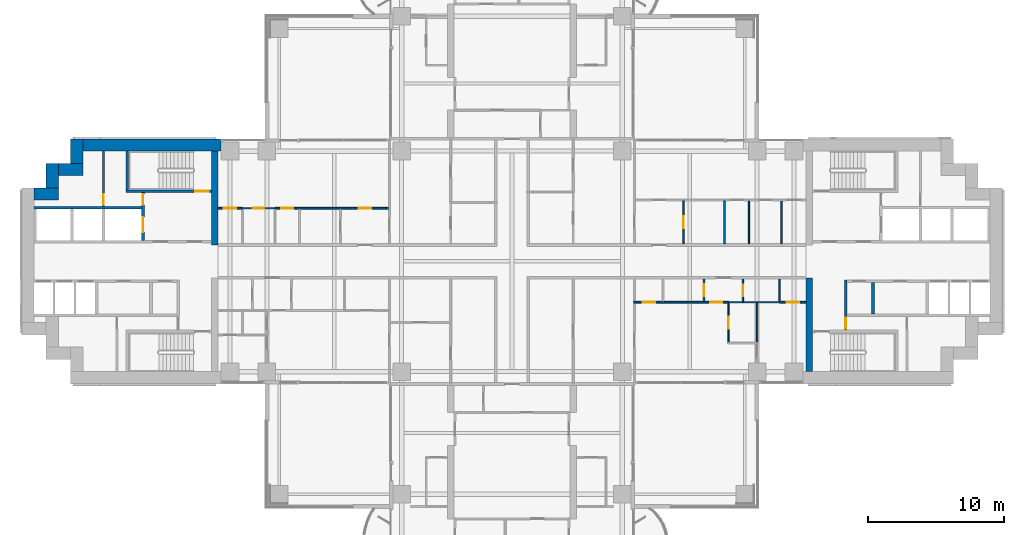
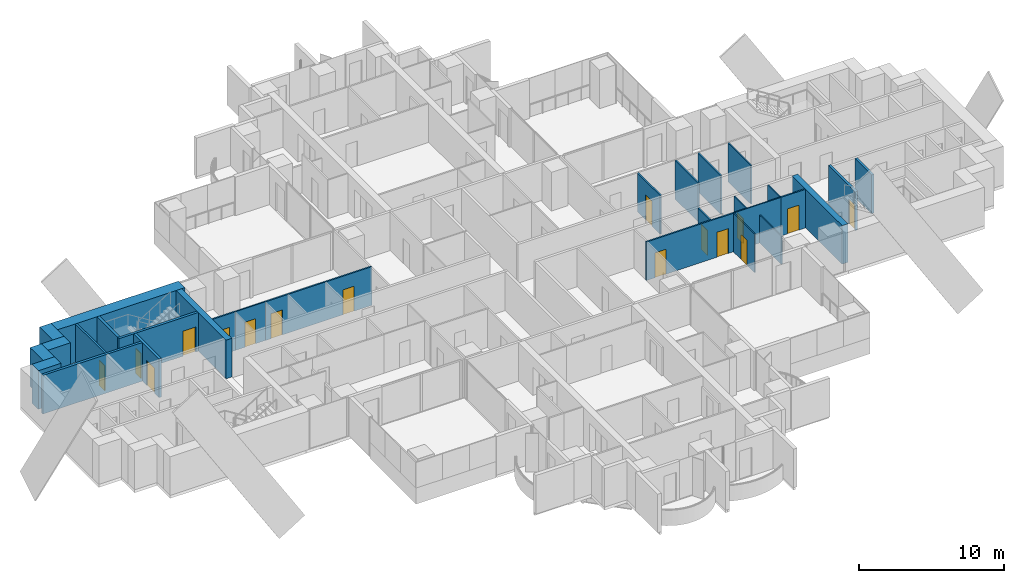
# One storey, part 14 of 23: 29 walls, 16 doors, 16 openings.
"""IFC4 building model written with IfcOpenShell, lengths in metres."""

from ifc_helpers import new_model, si_unit, direction, frame, frame_2d, origin, place, context, subcontext, project, spatial, rectangle, extrude, material, layer, layer_set, type_object, element, fill, save


model = new_model("IFC4")

# Units and contexts
model_context = context("Model", 3, precision=1e-05, world=origin(), true_north=direction((0.0, 1.0)))
body_context = subcontext(model_context, "Body", "Model", "MODEL_VIEW")
ifc_project = project(units=[si_unit("LENGTHUNIT", "METRE"), si_unit("AREAUNIT", "SQUARE_METRE"), si_unit("VOLUMEUNIT", "CUBIC_METRE"), si_unit("PLANEANGLEUNIT", "RADIAN"), si_unit("MASSUNIT", "GRAM", prefix="KILO")], contexts=[model_context])

# Site, building, storey
site_placement = place(None, origin())
site = spatial("IfcSite", under=ifc_project, at=site_placement, CompositionType="ELEMENT")
building_placement = place(site_placement, origin())
building = spatial("IfcBuilding", under=site, at=building_placement, Name="Perihelion Cross Residences", CompositionType="ELEMENT")
storey_placement = place(building_placement, frame((0.0, 0.0, 61.0)))
storey = spatial("IfcBuildingStorey", under=building, at=storey_placement, Name="L12", CompositionType="ELEMENT", Elevation=61.0)

# Walls
ifc_material_1 = material(Name="Concrete C60/75", Category="concrete")
ifc_layer_1 = layer(ifc_material_1, 0.449951171875)
ifc_layer_set_1 = layer_set([ifc_layer_1], Name="Core wall, inner 450")
wall_type_1 = type_object("IfcWallType", Name="Core wall, inner 450", PredefinedType="SHEAR", material=ifc_layer_set_1)
for number, where, z_axis, x_axis, name in (
    (1, (21.824951171875, -8.10009765625, 0.0), (0.0, 0.0, 1.0), (0.0, 1.0, 0.0), "East core core wall, inner"),
    (2, (-21.824951171875, 1.199951171875, 0.0), (0.0, 0.0, 1.0), (0.0, 1.0, 0.0), "West core core wall, inner"),
):
    element("IfcWall", number, at=place(storey_placement, frame(where, z_axis=z_axis, x_axis=x_axis)), inside=storey, type_object=wall_type_1, Name=name, PredefinedType="SHEAR", context=body_context, shape_type="SweptSolid", body=[
        extrude(rectangle(XDim=6.900146484375, YDim=0.449951171875, at=frame_2d((3.4501953125, 0.0))), origin(), (0.0, 0.0, 1.0), 3.25),
    ])
ifc_material_2 = material(Name="Concrete C60/75", Category="concrete")
ifc_layer_2 = layer(ifc_material_2, 0.89990234375)
ifc_layer_set_2 = layer_set([ifc_layer_2], Name="Core wall, outer 900")
wall_type_2 = type_object("IfcWallType", Name="Core wall, outer 900", PredefinedType="SHEAR", material=ifc_layer_set_2)
for number, where, z_axis, x_axis, name in (
    (3, (-35.10009765625, 4.949951171875, 0.0), (0.0, 0.0, 1.0), (1.0, 0.0, 0.0), "West core core wall, outer"),
    (4, (-33.75, 5.39990234375, 0.0), (0.0, 0.0, 1.0), (0.0, 1.0, 0.0), "West core core wall, outer"),
    (5, (-33.300048828125, 6.75, 0.0), (0.0, 0.0, 1.0), (1.0, 0.0, 0.0), "West core core wall, outer"),
    (6, (-31.949951171875, 7.199951171875, 0.0), (0.0, 0.0, 1.0), (0.0, 1.0, 0.0), "West core core wall, outer"),
):
    element("IfcWall", number, at=place(storey_placement, frame(where, z_axis=z_axis, x_axis=x_axis)), inside=storey, type_object=wall_type_2, Name=name, PredefinedType="SHEAR", context=body_context, shape_type="SweptSolid", body=[
        extrude(rectangle(XDim=1.800048828125, YDim=0.89990234375, at=frame_2d((0.89990234375, 0.0))), origin(), (0.0, 0.0, 1.0), 3.25),
    ])
wall_1_placement = place(storey_placement, frame((-31.5, 8.550048828125, 0.0), z_axis=(0.0, 0.0, 1.0), x_axis=(1.0, 0.0, 0.0)))
element("IfcWall", 7, at=wall_1_placement, inside=storey, type_object=wall_type_2, Name="West core core wall, outer", PredefinedType="SHEAR", context=body_context, shape_type="SweptSolid", body=[
    extrude(rectangle(XDim=10.14990234375, YDim=0.89990234375, at=frame_2d((5.074951171875, 0.0))), origin(), (0.0, 0.0, 1.0), 3.25),
])

# Wall, opening, door
ifc_material_3 = material(Name="Concrete C50/60", Category="concrete")
ifc_layer_3 = layer(ifc_material_3, 0.199951171875)
ifc_layer_set_3 = layer_set([ifc_layer_3], Name="Lobby wall 200")
wall_type_3 = type_object("IfcWallType", Name="Lobby wall 200", PredefinedType="SOLIDWALL", material=ifc_layer_set_3)
wall_2_placement = place(storey_placement, frame((24.5, -5.050048828125, 0.0), z_axis=(0.0, 0.0, 1.0), x_axis=(0.0, 1.0, 0.0)))
wall_2 = element("IfcWall", 8, at=wall_2_placement, inside=storey, type_object=wall_type_3, Name="East core lobby wall", PredefinedType="SOLIDWALL", context=body_context, shape_type="SweptSolid", body=[
    extrude(rectangle(XDim=3.699951171875, YDim=0.199951171875, at=frame_2d((1.85009765625, 0.0))), origin(), (0.0, 0.0, 1.0), 3.25),
])
opening_1_placement = place(wall_2_placement, frame((0.10009765625, 0.0, 0.0)))
opening_1 = element("IfcOpeningElement", 9, at=opening_1_placement, cuts=wall_2, Name="Opening L12.C08", PredefinedType="OPENING", context=body_context, shape_type="SweptSolid", body=[
    extrude(rectangle(XDim=0.800048828125, YDim=2.10009765625, at=frame_2d((0.39990234375, 1.050048828125))), frame((0.0, 0.10986328125, 0.0), z_axis=(0.0, -1.0, 0.0), x_axis=(1.0, 0.0, 0.0)), (0.0, 0.0, 1.0), 0.219970703125),
])
ifc_material_4 = material(Name="Steel, powder coated", Category="steel")
door_type_1 = type_object("IfcDoorType", Name="Riser door 800", OperationType="SINGLE_SWING_LEFT", PredefinedType="DOOR", material=ifc_material_4)
door_1_placement = place(opening_1_placement, origin())
door_1 = element("IfcDoor", 10, at=door_1_placement, inside=storey, type_object=door_type_1, Name="East core riser door", OperationType="SINGLE_SWING_LEFT", OverallHeight=2.10009765625, OverallWidth=0.800048828125, PredefinedType="DOOR", context=body_context, shape_type="SweptSolid", body=[
    extrude(rectangle(XDim=0.800048828125, YDim=2.10009765625, at=frame_2d((0.39990234375, 1.050048828125))), frame((0.0, 0.02490234375, 0.0), z_axis=(0.0, -1.0, 0.0), x_axis=(1.0, 0.0, 0.0)), (0.0, 0.0, 1.0), 0.050048828125),
])
fill(opening_1, door_1)

ifc_material_5 = material(Name="Plasterboard partition")
ifc_layer_4 = layer(ifc_material_5, 0.1201171875)
ifc_layer_set_4 = layer_set([ifc_layer_4], Name="Partition wall 120")
wall_type_4 = type_object("IfcWallType", Name="Partition wall 120", PredefinedType="PARTITIONING", material=ifc_layer_set_4)
wall_3_placement = place(storey_placement, frame((12.60009765625, 4.43994140625, 0.0), z_axis=(0.0, 0.0, 1.0), x_axis=(0.0, -1.0, 0.0)))
wall_3 = element("IfcWall", 11, at=wall_3_placement, inside=storey, type_object=wall_type_4, Name="Partition L12 W011", PredefinedType="PARTITIONING", context=body_context, shape_type="SweptSolid", body=[
    extrude(rectangle(XDim=3.139892578125, YDim=0.1201171875, at=frame_2d((1.56982421875, 0.0))), origin(), (0.0, 0.0, 1.0), 3.25),
])
opening_2_placement = place(wall_3_placement, frame((1.1201171875, 0.0, 0.0)))
opening_2 = element("IfcOpeningElement", 12, at=opening_2_placement, cuts=wall_3, Name="Opening L12.A05", PredefinedType="OPENING", context=body_context, shape_type="SweptSolid", body=[
    extrude(rectangle(XDim=0.89990234375, YDim=2.10009765625, at=frame_2d((0.449951171875, 1.050048828125))), frame((0.0, 0.070068359375, 0.0), z_axis=(0.0, -1.0, 0.0), x_axis=(1.0, 0.0, 0.0)), (0.0, 0.0, 1.0), 0.14013671875),
])
ifc_material_6 = material(Name="Timber door leaf", Category="wood")
door_type_2 = type_object("IfcDoorType", Name="Interior room door 900 x 2100", OperationType="SINGLE_SWING_LEFT", PredefinedType="DOOR", material=ifc_material_6)
door_2_placement = place(opening_2_placement, origin())
door_2 = element("IfcDoor", 13, at=door_2_placement, inside=storey, type_object=door_type_2, Name="Door L12.A05", OperationType="SINGLE_SWING_LEFT", OverallHeight=2.10009765625, OverallWidth=0.89990234375, PredefinedType="DOOR", context=body_context, shape_type="SweptSolid", body=[
    extrude(rectangle(XDim=0.89990234375, YDim=2.10009765625, at=frame_2d((0.449951171875, 1.050048828125))), frame((0.0, 0.02490234375, 0.0), z_axis=(0.0, -1.0, 0.0), x_axis=(1.0, 0.0, 0.0)), (0.0, 0.0, 1.0), 0.050048828125),
])
fill(opening_2, door_2)

# Wall
wall_4_placement = place(storey_placement, frame((15.60009765625, 4.43994140625, 0.0), z_axis=(0.0, 0.0, 1.0), x_axis=(0.0, -1.0, 0.0)))
element("IfcWall", 14, at=wall_4_placement, inside=storey, type_object=wall_type_4, Name="Partition L12 W014", PredefinedType="PARTITIONING", context=body_context, shape_type="SweptSolid", body=[
    extrude(rectangle(XDim=3.139892578125, YDim=0.1201171875, at=frame_2d((1.56982421875, 0.0))), origin(), (0.0, 0.0, 1.0), 3.25),
])

# Wall, openings, doors
wall_5_placement = place(storey_placement, frame((15.89990234375, -3.0, 0.0), z_axis=(0.0, 0.0, 1.0), x_axis=(-1.0, 0.0, 0.0)))
wall_5 = element("IfcWall", 15, at=wall_5_placement, inside=storey, type_object=wall_type_4, Name="Partition L12 W023", PredefinedType="PARTITIONING", context=body_context, shape_type="SweptSolid", body=[
    extrude(rectangle(XDim=6.9599609375, YDim=0.1201171875, at=frame_2d((3.47998046875, 0.0))), origin(), (0.0, 0.0, 1.0), 3.25),
])
opening_3_placement = place(wall_5_placement, frame((0.449951171875, 0.0, 0.0)))
opening_3 = element("IfcOpeningElement", 16, at=opening_3_placement, cuts=wall_5, Name="Opening L12.A14", PredefinedType="OPENING", context=body_context, shape_type="SweptSolid", body=[
    extrude(rectangle(XDim=0.89990234375, YDim=2.10009765625, at=frame_2d((0.449951171875, 1.050048828125))), frame((0.0, 0.070068359375, 0.0), z_axis=(0.0, -1.0, 0.0), x_axis=(1.0, 0.0, 0.0)), (0.0, 0.0, 1.0), 0.14013671875),
])
opening_4_placement = place(wall_5_placement, frame((5.39990234375, 0.0, 0.0)))
opening_4 = element("IfcOpeningElement", 17, at=opening_4_placement, cuts=wall_5, Name="Opening L12.A16", PredefinedType="OPENING", context=body_context, shape_type="SweptSolid", body=[
    extrude(rectangle(XDim=0.89990234375, YDim=2.10009765625, at=frame_2d((0.449951171875, 1.050048828125))), frame((0.0, 0.070068359375, 0.0), z_axis=(0.0, -1.0, 0.0), x_axis=(1.0, 0.0, 0.0)), (0.0, 0.0, 1.0), 0.14013671875),
])
door_3_placement = place(opening_3_placement, origin())
door_3 = element("IfcDoor", 18, at=door_3_placement, inside=storey, type_object=door_type_2, Name="Door L12.A14", OperationType="SINGLE_SWING_LEFT", OverallHeight=2.10009765625, OverallWidth=0.89990234375, PredefinedType="DOOR", context=body_context, shape_type="SweptSolid", body=[
    extrude(rectangle(XDim=0.89990234375, YDim=2.10009765625, at=frame_2d((0.449951171875, 1.050048828125))), frame((0.0, 0.02490234375, 0.0), z_axis=(0.0, -1.0, 0.0), x_axis=(1.0, 0.0, 0.0)), (0.0, 0.0, 1.0), 0.050048828125),
])
fill(opening_3, door_3)
door_4_placement = place(opening_4_placement, origin())
door_4 = element("IfcDoor", 19, at=door_4_placement, inside=storey, type_object=door_type_2, Name="Door L12.A16", OperationType="SINGLE_SWING_LEFT", OverallHeight=2.10009765625, OverallWidth=0.89990234375, PredefinedType="DOOR", context=body_context, shape_type="SweptSolid", body=[
    extrude(rectangle(XDim=0.89990234375, YDim=2.10009765625, at=frame_2d((0.449951171875, 1.050048828125))), frame((0.0, 0.02490234375, 0.0), z_axis=(0.0, -1.0, 0.0), x_axis=(1.0, 0.0, 0.0)), (0.0, 0.0, 1.0), 0.050048828125),
])
fill(opening_4, door_4)

# Wall, opening, door
wall_6_placement = place(storey_placement, frame((14.10009765625, -1.300048828125, 0.0), z_axis=(0.0, 0.0, 1.0), x_axis=(0.0, -1.0, 0.0)))
wall_6 = element("IfcWall", 20, at=wall_6_placement, inside=storey, type_object=wall_type_4, Name="Partition L12 W025", PredefinedType="PARTITIONING", context=body_context, shape_type="SweptSolid", body=[
    extrude(rectangle(XDim=1.639892578125, YDim=0.1201171875, at=frame_2d((0.81982421875, 0.0))), origin(), (0.0, 0.0, 1.0), 3.25),
])
opening_5_placement = place(wall_6_placement, frame((0.3701171875, 0.0, 0.0)))
opening_5 = element("IfcOpeningElement", 21, at=opening_5_placement, cuts=wall_6, Name="Opening L12.A11", PredefinedType="OPENING", context=body_context, shape_type="SweptSolid", body=[
    extrude(rectangle(XDim=0.89990234375, YDim=2.10009765625, at=frame_2d((0.449951171875, 1.050048828125))), frame((0.0, 0.070068359375, 0.0), z_axis=(0.0, -1.0, 0.0), x_axis=(1.0, 0.0, 0.0)), (0.0, 0.0, 1.0), 0.14013671875),
])
door_5_placement = place(opening_5_placement, origin())
door_5 = element("IfcDoor", 22, at=door_5_placement, inside=storey, type_object=door_type_2, Name="Door L12.A11", OperationType="SINGLE_SWING_RIGHT", OverallHeight=2.10009765625, OverallWidth=0.89990234375, PredefinedType="DOOR", context=body_context, shape_type="SweptSolid", body=[
    extrude(rectangle(XDim=0.89990234375, YDim=2.10009765625, at=frame_2d((0.449951171875, 1.050048828125))), frame((0.0, 0.02490234375, 0.0), z_axis=(0.0, -1.0, 0.0), x_axis=(1.0, 0.0, 0.0)), (0.0, 0.0, 1.0), 0.050048828125),
])
fill(opening_5, door_5)

wall_7_placement = place(storey_placement, frame((21.60009765625, -3.0, 0.0), z_axis=(0.0, 0.0, 1.0), x_axis=(-1.0, 0.0, 0.0)))
wall_7 = element("IfcWall", 23, at=wall_7_placement, inside=storey, type_object=wall_type_4, Name="Partition L12 W029", PredefinedType="PARTITIONING", context=body_context, shape_type="SweptSolid", body=[
    extrude(rectangle(XDim=1.9501953125, YDim=0.1201171875, at=frame_2d((0.97509765625, 0.0))), origin(), (0.0, 0.0, 1.0), 3.25),
])
opening_6_placement = place(wall_7_placement, frame((0.52490234375, 0.0, 0.0)))
opening_6 = element("IfcOpeningElement", 24, at=opening_6_placement, cuts=wall_7, Name="Opening L12.A17", PredefinedType="OPENING", context=body_context, shape_type="SweptSolid", body=[
    extrude(rectangle(XDim=0.89990234375, YDim=2.10009765625, at=frame_2d((0.449951171875, 1.050048828125))), frame((0.0, 0.070068359375, 0.0), z_axis=(0.0, -1.0, 0.0), x_axis=(1.0, 0.0, 0.0)), (0.0, 0.0, 1.0), 0.14013671875),
])
door_6_placement = place(opening_6_placement, origin())
door_6 = element("IfcDoor", 25, at=door_6_placement, inside=storey, type_object=door_type_2, Name="Door L12.A17", OperationType="SINGLE_SWING_RIGHT", OverallHeight=2.10009765625, OverallWidth=0.89990234375, PredefinedType="DOOR", context=body_context, shape_type="SweptSolid", body=[
    extrude(rectangle(XDim=0.89990234375, YDim=2.10009765625, at=frame_2d((0.449951171875, 1.050048828125))), frame((0.0, 0.02490234375, 0.0), z_axis=(0.0, -1.0, 0.0), x_axis=(1.0, 0.0, 0.0)), (0.0, 0.0, 1.0), 0.050048828125),
])
fill(opening_6, door_6)

# Wall, openings, doors
wall_8_placement = place(storey_placement, frame((-17.39990234375, 3.89990234375, 0.0), z_axis=(0.0, 0.0, 1.0), x_axis=(1.0, 0.0, 0.0)))
wall_8 = element("IfcWall", 26, at=wall_8_placement, inside=storey, type_object=wall_type_4, Name="Partition L12 W036", PredefinedType="PARTITIONING", context=body_context, shape_type="SweptSolid", body=[
    extrude(rectangle(XDim=8.4599609375, YDim=0.1201171875, at=frame_2d((4.22998046875, 0.0))), origin(), (0.0, 0.0, 1.0), 3.25),
])
opening_7_placement = place(wall_8_placement, frame((0.449951171875, 0.0, 0.0)))
opening_7 = element("IfcOpeningElement", 27, at=opening_7_placement, cuts=wall_8, Name="Opening L12.A21", PredefinedType="OPENING", context=body_context, shape_type="SweptSolid", body=[
    extrude(rectangle(XDim=0.89990234375, YDim=2.10009765625, at=frame_2d((0.449951171875, 1.050048828125))), frame((0.0, 0.070068359375, 0.0), z_axis=(0.0, -1.0, 0.0), x_axis=(1.0, 0.0, 0.0)), (0.0, 0.0, 1.0), 0.14013671875),
])
opening_8_placement = place(wall_8_placement, frame((6.14990234375, 0.0, 0.0)))
opening_8 = element("IfcOpeningElement", 28, at=opening_8_placement, cuts=wall_8, Name="Opening L12.A25", PredefinedType="OPENING", context=body_context, shape_type="SweptSolid", body=[
    extrude(rectangle(XDim=0.89990234375, YDim=2.10009765625, at=frame_2d((0.449951171875, 1.050048828125))), frame((0.0, 0.070068359375, 0.0), z_axis=(0.0, -1.0, 0.0), x_axis=(1.0, 0.0, 0.0)), (0.0, 0.0, 1.0), 0.14013671875),
])
door_7_placement = place(opening_7_placement, origin())
door_7 = element("IfcDoor", 29, at=door_7_placement, inside=storey, type_object=door_type_2, Name="Door L12.A21", OperationType="SINGLE_SWING_LEFT", OverallHeight=2.10009765625, OverallWidth=0.89990234375, PredefinedType="DOOR", context=body_context, shape_type="SweptSolid", body=[
    extrude(rectangle(XDim=0.89990234375, YDim=2.10009765625, at=frame_2d((0.449951171875, 1.050048828125))), frame((0.0, 0.02490234375, 0.0), z_axis=(0.0, -1.0, 0.0), x_axis=(1.0, 0.0, 0.0)), (0.0, 0.0, 1.0), 0.050048828125),
])
fill(opening_7, door_7)
door_8_placement = place(opening_8_placement, origin())
door_8 = element("IfcDoor", 30, at=door_8_placement, inside=storey, type_object=door_type_2, Name="Door L12.A25", OperationType="SINGLE_SWING_LEFT", OverallHeight=2.10009765625, OverallWidth=0.89990234375, PredefinedType="DOOR", context=body_context, shape_type="SweptSolid", body=[
    extrude(rectangle(XDim=0.89990234375, YDim=2.10009765625, at=frame_2d((0.449951171875, 1.050048828125))), frame((0.0, 0.02490234375, 0.0), z_axis=(0.0, -1.0, 0.0), x_axis=(1.0, 0.0, 0.0)), (0.0, 0.0, 1.0), 0.050048828125),
])
fill(opening_8, door_8)

# Wall, opening, door
wall_9_placement = place(storey_placement, frame((-21.60009765625, 3.89990234375, 0.0), z_axis=(0.0, 0.0, 1.0), x_axis=(1.0, 0.0, 0.0)))
wall_9 = element("IfcWall", 31, at=wall_9_placement, inside=storey, type_object=wall_type_4, Name="Partition L12 W042", PredefinedType="PARTITIONING", context=body_context, shape_type="SweptSolid", body=[
    extrude(rectangle(XDim=1.800048828125, YDim=0.1201171875, at=frame_2d((0.89990234375, 0.0))), origin(), (0.0, 0.0, 1.0), 3.25),
])
opening_9_placement = place(wall_9_placement, frame((0.449951171875, 0.0, 0.0)))
opening_9 = element("IfcOpeningElement", 32, at=opening_9_placement, cuts=wall_9, Name="Opening L12.A19", PredefinedType="OPENING", context=body_context, shape_type="SweptSolid", body=[
    extrude(rectangle(XDim=0.89990234375, YDim=2.10009765625, at=frame_2d((0.449951171875, 1.050048828125))), frame((0.0, 0.070068359375, 0.0), z_axis=(0.0, -1.0, 0.0), x_axis=(1.0, 0.0, 0.0)), (0.0, 0.0, 1.0), 0.14013671875),
])
door_9_placement = place(opening_9_placement, origin())
door_9 = element("IfcDoor", 33, at=door_9_placement, inside=storey, type_object=door_type_2, Name="Door L12.A19", OperationType="SINGLE_SWING_RIGHT", OverallHeight=2.10009765625, OverallWidth=0.89990234375, PredefinedType="DOOR", context=body_context, shape_type="SweptSolid", body=[
    extrude(rectangle(XDim=0.89990234375, YDim=2.10009765625, at=frame_2d((0.449951171875, 1.050048828125))), frame((0.0, 0.02490234375, 0.0), z_axis=(0.0, -1.0, 0.0), x_axis=(1.0, 0.0, 0.0)), (0.0, 0.0, 1.0), 0.050048828125),
])
fill(opening_9, door_9)

ifc_material_7 = material(Name="Fire-rated board on steel stud", Category="steel")
ifc_layer_5 = layer(ifc_material_7, 0.14990234375)
ifc_layer_set_5 = layer_set([ifc_layer_5], Name="Riser wall 150")
wall_type_5 = type_object("IfcWallType", Name="Riser wall 150", PredefinedType="PARTITIONING", material=ifc_layer_set_5)
wall_10_placement = place(storey_placement, frame((-30.0, 4.050048828125, 0.0), z_axis=(0.0, 0.0, 1.0), x_axis=(0.0, 1.0, 0.0)))
wall_10 = element("IfcWall", 34, at=wall_10_placement, inside=storey, type_object=wall_type_5, Name="West core riser wall", PredefinedType="PARTITIONING", context=body_context, shape_type="SweptSolid", body=[
    extrude(rectangle(XDim=4.050048828125, YDim=0.14990234375, at=frame_2d((2.02490234375, 0.0))), origin(), (0.0, 0.0, 1.0), 3.25),
])
opening_10_placement = place(wall_10_placement, frame((0.10009765625, 0.0, 0.0)))
opening_10 = element("IfcOpeningElement", 35, at=opening_10_placement, cuts=wall_10, Name="Opening L12.C28", PredefinedType="OPENING", context=body_context, shape_type="SweptSolid", body=[
    extrude(rectangle(XDim=0.800048828125, YDim=2.10009765625, at=frame_2d((0.39990234375, 1.050048828125))), frame((0.0, 0.0849609375, 0.0), z_axis=(0.0, -1.0, 0.0), x_axis=(1.0, 0.0, 0.0)), (0.0, 0.0, 1.0), 0.169921875),
])
door_10_placement = place(opening_10_placement, origin())
door_10 = element("IfcDoor", 36, at=door_10_placement, inside=storey, type_object=door_type_1, Name="West core riser door", OperationType="SINGLE_SWING_LEFT", OverallHeight=2.10009765625, OverallWidth=0.800048828125, PredefinedType="DOOR", context=body_context, shape_type="SweptSolid", body=[
    extrude(rectangle(XDim=0.800048828125, YDim=2.10009765625, at=frame_2d((0.39990234375, 1.050048828125))), frame((0.0, 0.02490234375, 0.0), z_axis=(0.0, -1.0, 0.0), x_axis=(1.0, 0.0, 0.0)), (0.0, 0.0, 1.0), 0.050048828125),
])
fill(opening_10, door_10)

# Walls
ifc_material_8 = material(Name="Fire-rated board on steel stud", Category="steel")
ifc_layer_6 = layer(ifc_material_8, 0.199951171875)
ifc_layer_set_6 = layer_set([ifc_layer_6], Name="Riser wall 200")
wall_type_6 = type_object("IfcWallType", Name="Riser wall 200", PredefinedType="PARTITIONING", material=ifc_layer_set_6)
wall_11_placement = place(storey_placement, frame((26.5, -3.85009765625, 0.0), z_axis=(0.0, 0.0, 1.0), x_axis=(0.0, 1.0, 0.0)))
element("IfcWall", 37, at=wall_11_placement, inside=storey, type_object=wall_type_6, Name="East core riser wall", PredefinedType="PARTITIONING", context=body_context, shape_type="SweptSolid", body=[
    extrude(rectangle(XDim=2.300048828125, YDim=0.199951171875, at=frame_2d((1.14990234375, 0.0))), origin(), (0.0, 0.0, 1.0), 3.25),
])
ifc_material_9 = material(Name="Concrete C50/60", Category="concrete")
ifc_layer_7 = layer(ifc_material_9, 0.199951171875)
ifc_layer_set_7 = layer_set([ifc_layer_7], Name="Shaft wall 200")
wall_type_7 = type_object("IfcWallType", Name="Shaft wall 200", PredefinedType="SOLIDWALL", material=ifc_layer_set_7)
wall_12_placement = place(storey_placement, frame((-35.10009765625, 3.949951171875, 0.0), z_axis=(0.0, 0.0, 1.0), x_axis=(1.0, 0.0, 0.0)))
element("IfcWall", 38, at=wall_12_placement, inside=storey, type_object=wall_type_7, Name="West core shaft wall", PredefinedType="SOLIDWALL", context=body_context, shape_type="SweptSolid", body=[
    extrude(rectangle(XDim=7.900146484375, YDim=0.199951171875, at=frame_2d((3.9501953125, 0.0))), origin(), (0.0, 0.0, 1.0), 3.25),
])

# Wall, openings, doors
wall_13_placement = place(storey_placement, frame((-27.10009765625, 1.550048828125, 0.0), z_axis=(0.0, 0.0, 1.0), x_axis=(0.0, 1.0, 0.0)))
wall_13 = element("IfcWall", 39, at=wall_13_placement, inside=storey, type_object=wall_type_7, Name="West core shaft wall", PredefinedType="SOLIDWALL", context=body_context, shape_type="SweptSolid", body=[
    extrude(rectangle(XDim=3.5, YDim=0.199951171875, at=frame_2d((1.75, 0.0))), origin(), (0.0, 0.0, 1.0), 3.25),
])
opening_11_placement = place(wall_13_placement, frame((0.60009765625, 0.0, 0.0)))
opening_11 = element("IfcOpeningElement", 40, at=opening_11_placement, cuts=wall_13, Name="Opening L12.C15", PredefinedType="OPENING", context=body_context, shape_type="SweptSolid", body=[
    extrude(rectangle(XDim=1.10009765625, YDim=2.10009765625, at=frame_2d((0.550048828125, 1.050048828125))), frame((0.0, 0.10986328125, 0.0), z_axis=(0.0, -1.0, 0.0), x_axis=(1.0, 0.0, 0.0)), (0.0, 0.0, 1.0), 0.219970703125),
])
opening_12_placement = place(wall_13_placement, frame((2.60009765625, 0.0, 0.0)))
opening_12 = element("IfcOpeningElement", 41, at=opening_12_placement, cuts=wall_13, Name="Opening L12.C25", PredefinedType="OPENING", context=body_context, shape_type="SweptSolid", body=[
    extrude(rectangle(XDim=0.800048828125, YDim=2.10009765625, at=frame_2d((0.39990234375, 1.050048828125))), frame((0.0, 0.10986328125, 0.0), z_axis=(0.0, -1.0, 0.0), x_axis=(1.0, 0.0, 0.0)), (0.0, 0.0, 1.0), 0.219970703125),
])
ifc_material_10 = material(Name="Stainless steel", Category="steel")
door_type_3 = type_object("IfcDoorType", Name="Landing door, firefighting lift 1100", OperationType="DOUBLE_DOOR_SLIDING", PredefinedType="DOOR", material=ifc_material_10)
door_11_placement = place(opening_11_placement, origin())
door_11 = element("IfcDoor", 42, at=door_11_placement, inside=storey, type_object=door_type_3, Name="Landing door, West core firefighting and service lift", OperationType="DOUBLE_DOOR_SLIDING", OverallHeight=2.10009765625, OverallWidth=1.10009765625, PredefinedType="DOOR", context=body_context, shape_type="SweptSolid", body=[
    extrude(rectangle(XDim=1.10009765625, YDim=2.10009765625, at=frame_2d((0.550048828125, 1.050048828125))), frame((0.0, 0.02490234375, 0.0), z_axis=(0.0, -1.0, 0.0), x_axis=(1.0, 0.0, 0.0)), (0.0, 0.0, 1.0), 0.050048828125),
])
fill(opening_11, door_11)
door_12_placement = place(opening_12_placement, origin())
door_12 = element("IfcDoor", 43, at=door_12_placement, inside=storey, type_object=door_type_1, Name="West core riser door", OperationType="SINGLE_SWING_LEFT", OverallHeight=2.10009765625, OverallWidth=0.800048828125, PredefinedType="DOOR", context=body_context, shape_type="SweptSolid", body=[
    extrude(rectangle(XDim=0.800048828125, YDim=2.10009765625, at=frame_2d((0.39990234375, 1.050048828125))), frame((0.0, 0.02490234375, 0.0), z_axis=(0.0, -1.0, 0.0), x_axis=(1.0, 0.0, 0.0)), (0.0, 0.0, 1.0), 0.050048828125),
])
fill(opening_12, door_12)

# Wall, opening, door
ifc_material_11 = material(Name="Concrete C50/60", Category="concrete")
ifc_layer_8 = layer(ifc_material_11, 0.199951171875)
ifc_layer_set_8 = layer_set([ifc_layer_8], Name="Stair wall 200")
wall_type_8 = type_object("IfcWallType", Name="Stair wall 200", PredefinedType="SOLIDWALL", material=ifc_layer_set_8)
wall_14_placement = place(storey_placement, frame((-28.35009765625, 5.14990234375, 0.0), z_axis=(0.0, 0.0, 1.0), x_axis=(1.0, 0.0, 0.0)))
wall_14 = element("IfcWall", 44, at=wall_14_placement, inside=storey, type_object=wall_type_8, Name="West core stair wall", PredefinedType="SOLIDWALL", context=body_context, shape_type="SweptSolid", body=[
    extrude(rectangle(XDim=6.300048828125, YDim=0.199951171875, at=frame_2d((3.14990234375, 0.0))), origin(), (0.0, 0.0, 1.0), 3.25),
])
opening_13_placement = place(wall_14_placement, frame((5.10009765625, 0.0, 0.0)))
opening_13 = element("IfcOpeningElement", 45, at=opening_13_placement, cuts=wall_14, Name="Opening L12.C20", PredefinedType="OPENING", context=body_context, shape_type="SweptSolid", body=[
    extrude(rectangle(XDim=1.0, YDim=2.10009765625, at=frame_2d((0.5, 1.050048828125))), frame((0.0, 0.10986328125, 0.0), z_axis=(0.0, -1.0, 0.0), x_axis=(1.0, 0.0, 0.0)), (0.0, 0.0, 1.0), 0.219970703125),
])
ifc_material_12 = material(Name="Steel, powder coated", Category="steel")
door_type_4 = type_object("IfcDoorType", Name="Stair door 1000", OperationType="SINGLE_SWING_LEFT", PredefinedType="DOOR", material=ifc_material_12)
door_13_placement = place(opening_13_placement, origin())
door_13 = element("IfcDoor", 46, at=door_13_placement, inside=storey, type_object=door_type_4, Name="West core stair door", OperationType="SINGLE_SWING_LEFT", OverallHeight=2.10009765625, OverallWidth=1.0, PredefinedType="DOOR", context=body_context, shape_type="SweptSolid", body=[
    extrude(rectangle(XDim=1.0, YDim=2.10009765625, at=frame_2d((0.5, 1.050048828125))), frame((0.0, 0.02490234375, 0.0), z_axis=(0.0, -1.0, 0.0), x_axis=(1.0, 0.0, 0.0)), (0.0, 0.0, 1.0), 0.050048828125),
])
fill(opening_13, door_13)

# Walls
wall_15_placement = place(storey_placement, frame((-28.25, 5.25, 0.0), z_axis=(0.0, 0.0, 1.0), x_axis=(0.0, 1.0, 0.0)))
element("IfcWall", 47, at=wall_15_placement, inside=storey, type_object=wall_type_8, Name="West core stair wall", PredefinedType="SOLIDWALL", context=body_context, shape_type="SweptSolid", body=[
    extrude(rectangle(XDim=2.85009765625, YDim=0.199951171875, at=frame_2d((1.425048828125, 0.0))), origin(), (0.0, 0.0, 1.0), 3.25),
])
ifc_material_13 = material(Name="Plasterboard partition")
ifc_layer_9 = layer(ifc_material_13, 0.10009765625)
ifc_layer_set_9 = layer_set([ifc_layer_9], Name="Wet room wall 100")
wall_type_9 = type_object("IfcWallType", Name="Wet room wall 100", PredefinedType="PARTITIONING", material=ifc_layer_set_9)
for number, where, z_axis, x_axis, name in (
    (48, (17.39990234375, 4.43994140625, 0.0), (0.0, 0.0, 1.0), (0.0, -1.0, 0.0), "Partition L12 W015"),
    (49, (19.800048828125, 4.43994140625, 0.0), (0.0, 0.0, 1.0), (0.0, -1.0, 0.0), "Partition L12 W016"),
):
    element("IfcWall", number, at=place(storey_placement, frame(where, z_axis=z_axis, x_axis=x_axis)), inside=storey, type_object=wall_type_9, Name=name, PredefinedType="PARTITIONING", context=body_context, shape_type="SweptSolid", body=[
        extrude(rectangle(XDim=3.139892578125, YDim=0.10009765625, at=frame_2d((1.56982421875, 0.0))), origin(), (0.0, 0.0, 1.0), 3.25),
    ])

# Wall, opening, door
wall_16_placement = place(storey_placement, frame((16.949951171875, -1.300048828125, 0.0), z_axis=(0.0, 0.0, 1.0), x_axis=(0.0, -1.0, 0.0)))
wall_16 = element("IfcWall", 50, at=wall_16_placement, inside=storey, type_object=wall_type_9, Name="Partition L12 W026", PredefinedType="PARTITIONING", context=body_context, shape_type="SweptSolid", body=[
    extrude(rectangle(XDim=1.64990234375, YDim=0.10009765625, at=frame_2d((0.824951171875, 0.0))), origin(), (0.0, 0.0, 1.0), 3.25),
])
opening_14_placement = place(wall_16_placement, frame((0.39990234375, 0.0, 0.0)))
opening_14 = element("IfcOpeningElement", 51, at=opening_14_placement, cuts=wall_16, Name="Opening L12.A09", PredefinedType="OPENING", context=body_context, shape_type="SweptSolid", body=[
    extrude(rectangle(XDim=0.85009765625, YDim=2.10009765625, at=frame_2d((0.425048828125, 1.050048828125))), frame((0.0, 0.06005859375, 0.0), z_axis=(0.0, -1.0, 0.0), x_axis=(1.0, 0.0, 0.0)), (0.0, 0.0, 1.0), 0.1201171875),
])
ifc_material_14 = material(Name="Timber door leaf", Category="wood")
door_type_5 = type_object("IfcDoorType", Name="Interior bathroom door 850 x 2100", OperationType="SINGLE_SWING_LEFT", PredefinedType="DOOR", material=ifc_material_14)
door_14_placement = place(opening_14_placement, origin())
door_14 = element("IfcDoor", 52, at=door_14_placement, inside=storey, type_object=door_type_5, Name="Door L12.A09", OperationType="SINGLE_SWING_RIGHT", OverallHeight=2.10009765625, OverallWidth=0.85009765625, PredefinedType="DOOR", context=body_context, shape_type="SweptSolid", body=[
    extrude(rectangle(XDim=0.85009765625, YDim=2.10009765625, at=frame_2d((0.425048828125, 1.050048828125))), frame((0.0, 0.02490234375, 0.0), z_axis=(0.0, -1.0, 0.0), x_axis=(1.0, 0.0, 0.0)), (0.0, 0.0, 1.0), 0.050048828125),
])
fill(opening_14, door_14)

# Walls
wall_17_placement = place(storey_placement, frame((19.64990234375, -3.0, 0.0), z_axis=(0.0, 0.0, 1.0), x_axis=(-1.0, 0.0, 0.0)))
element("IfcWall", 53, at=wall_17_placement, inside=storey, type_object=wall_type_9, Name="Partition L12 W027", PredefinedType="PARTITIONING", context=body_context, shape_type="SweptSolid", body=[
    extrude(rectangle(XDim=3.75, YDim=0.10009765625, at=frame_2d((1.875, 0.0))), origin(), (0.0, 0.0, 1.0), 3.25),
])
wall_18_placement = place(storey_placement, frame((19.64990234375, -1.300048828125, 0.0), z_axis=(0.0, 0.0, 1.0), x_axis=(0.0, -1.0, 0.0)))
element("IfcWall", 54, at=wall_18_placement, inside=storey, type_object=wall_type_9, Name="Partition L12 W028", PredefinedType="PARTITIONING", context=body_context, shape_type="SweptSolid", body=[
    extrude(rectangle(XDim=1.639892578125, YDim=0.10009765625, at=frame_2d((0.81982421875, 0.0))), origin(), (0.0, 0.0, 1.0), 3.25),
])

# Wall, opening, door
wall_19_placement = place(storey_placement, frame((15.89990234375, -3.06005859375, 0.0), z_axis=(0.0, 0.0, 1.0), x_axis=(0.0, -1.0, 0.0)))
wall_19 = element("IfcWall", 55, at=wall_19_placement, inside=storey, type_object=wall_type_9, Name="Partition L12 W030", PredefinedType="PARTITIONING", context=body_context, shape_type="SweptSolid", body=[
    extrude(rectangle(XDim=2.889892578125, YDim=0.10009765625, at=frame_2d((1.44482421875, 0.0))), origin(), (0.0, 0.0, 1.0), 3.25),
])
opening_15_placement = place(wall_19_placement, frame((1.02001953125, 0.0, 0.0)))
opening_15 = element("IfcOpeningElement", 56, at=opening_15_placement, cuts=wall_19, Name="Opening L12.A13", PredefinedType="OPENING", context=body_context, shape_type="SweptSolid", body=[
    extrude(rectangle(XDim=0.85009765625, YDim=2.10009765625, at=frame_2d((0.425048828125, 1.050048828125))), frame((0.0, 0.06005859375, 0.0), z_axis=(0.0, -1.0, 0.0), x_axis=(1.0, 0.0, 0.0)), (0.0, 0.0, 1.0), 0.1201171875),
])
door_15_placement = place(opening_15_placement, origin())
door_15 = element("IfcDoor", 57, at=door_15_placement, inside=storey, type_object=door_type_5, Name="Door L12.A13", OperationType="SINGLE_SWING_RIGHT", OverallHeight=2.10009765625, OverallWidth=0.85009765625, PredefinedType="DOOR", context=body_context, shape_type="SweptSolid", body=[
    extrude(rectangle(XDim=0.85009765625, YDim=2.10009765625, at=frame_2d((0.425048828125, 1.050048828125))), frame((0.0, 0.02490234375, 0.0), z_axis=(0.0, -1.0, 0.0), x_axis=(1.0, 0.0, 0.0)), (0.0, 0.0, 1.0), 0.050048828125),
])
fill(opening_15, door_15)

# Wall
wall_20_placement = place(storey_placement, frame((18.0, -3.050048828125, 0.0), z_axis=(0.0, 0.0, 1.0), x_axis=(0.0, -1.0, 0.0)))
element("IfcWall", 58, at=wall_20_placement, inside=storey, type_object=wall_type_9, Name="Partition L12 W033", PredefinedType="PARTITIONING", context=body_context, shape_type="SweptSolid", body=[
    extrude(rectangle(XDim=2.949951171875, YDim=0.10009765625, at=frame_2d((1.47509765625, 0.0))), origin(), (0.0, 0.0, 1.0), 2.345947265625),
])

# Wall, opening, door
wall_21_placement = place(storey_placement, frame((-19.800048828125, 3.89990234375, 0.0), z_axis=(0.0, 0.0, 1.0), x_axis=(1.0, 0.0, 0.0)))
wall_21 = element("IfcWall", 59, at=wall_21_placement, inside=storey, type_object=wall_type_9, Name="Partition L12 W041", PredefinedType="PARTITIONING", context=body_context, shape_type="SweptSolid", body=[
    extrude(rectangle(XDim=2.400146484375, YDim=0.10009765625, at=frame_2d((1.2001953125, 0.0))), origin(), (0.0, 0.0, 1.0), 3.25),
])
opening_16_placement = place(wall_21_placement, frame((0.77490234375, 0.0, 0.0)))
opening_16 = element("IfcOpeningElement", 60, at=opening_16_placement, cuts=wall_21, Name="Opening L12.A18", PredefinedType="OPENING", context=body_context, shape_type="SweptSolid", body=[
    extrude(rectangle(XDim=0.85009765625, YDim=2.10009765625, at=frame_2d((0.425048828125, 1.050048828125))), frame((0.0, 0.06005859375, 0.0), z_axis=(0.0, -1.0, 0.0), x_axis=(1.0, 0.0, 0.0)), (0.0, 0.0, 1.0), 0.1201171875),
])
door_16_placement = place(opening_16_placement, origin())
door_16 = element("IfcDoor", 61, at=door_16_placement, inside=storey, type_object=door_type_5, Name="Door L12.A18", OperationType="SINGLE_SWING_LEFT", OverallHeight=2.10009765625, OverallWidth=0.85009765625, PredefinedType="DOOR", context=body_context, shape_type="SweptSolid", body=[
    extrude(rectangle(XDim=0.85009765625, YDim=2.10009765625, at=frame_2d((0.425048828125, 1.050048828125))), frame((0.0, 0.02490234375, 0.0), z_axis=(0.0, -1.0, 0.0), x_axis=(1.0, 0.0, 0.0)), (0.0, 0.0, 1.0), 0.050048828125),
])
fill(opening_16, door_16)

save(model, "model.ifc")
